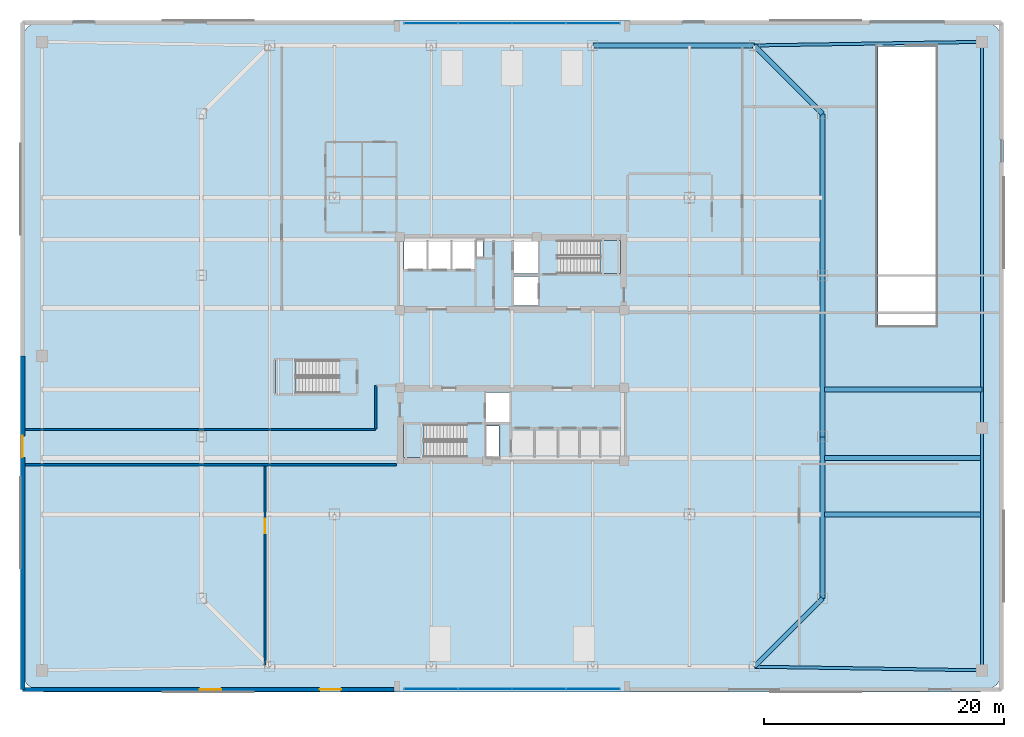
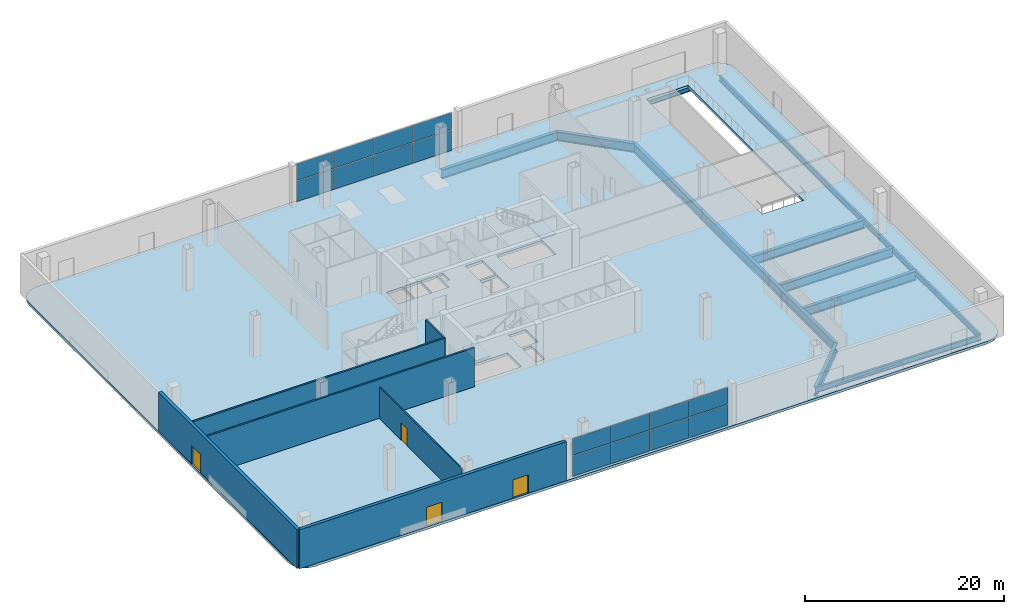
# One storey, part 11 of 21: 16 plates, 13 beams, 6 walls, 4 doors, 4 slabs, 4 openings, 5 elements without a shape of their own.
"""IFC4 building model written with IfcOpenShell, lengths in metres."""

from ifc_helpers import new_model, si_unit, direction, frame, frame_2d, origin, origin_2d, place, context, subcontext, project, spatial, polyline, rectangle, i_section, outline, extrude, material, layer, layer_set, material_profile, profile_set, type_object, element, fill, aggregate, save


model = new_model("IFC4")

# Units and contexts
model_context = context("Model", 3, precision=1e-05, world=origin(), true_north=direction((0.0, 1.0)))
body_context = subcontext(model_context, "Body", "Model", "MODEL_VIEW")
ifc_project = project(units=[si_unit("LENGTHUNIT", "METRE"), si_unit("AREAUNIT", "SQUARE_METRE"), si_unit("VOLUMEUNIT", "CUBIC_METRE"), si_unit("PLANEANGLEUNIT", "RADIAN"), si_unit("MASSUNIT", "GRAM", prefix="KILO")], contexts=[model_context])

# Site, building, storey
site_placement = place(None, origin())
site = spatial("IfcSite", under=ifc_project, at=site_placement, CompositionType="ELEMENT")
building_placement = place(site_placement, origin())
building = spatial("IfcBuilding", under=site, at=building_placement, Name="Qhalaya Broadcast Tower", CompositionType="ELEMENT")
storey_placement = place(building_placement, origin())
storey = spatial("IfcBuildingStorey", under=building, at=storey_placement, Name="L00", CompositionType="ELEMENT", Elevation=0.0)

# Beams
ifc_material_1 = material(Name="Structural Steel ASTM A992 Grade 50", Category="steel")
ifc_material_profile_1 = material_profile(ifc_material_1, i_section(OverallWidth=0.25390625, OverallDepth=0.68310546875, WebThickness=0.012451171875, FlangeThickness=0.01904296875, at=origin_2d()), Name="W27X94")
ifc_profile_set_1 = profile_set([ifc_material_profile_1], Name="Structural Steel ASTM A992 Grade 50")
beam_type_1 = type_object("IfcBeamType", Name="Perimeter Ring Spandrel Beam SP1", PredefinedType="SPANDREL", material=ifc_profile_set_1)
for number, where, z_axis, x_axis, name in (
    (1, (20.199951171875, -25.89990234375, -0.66162109375), (0.999875328998, -0.015790074776, 0.0), (0.015790074776, 0.999875328998, 0.0), "L00 SP1 L00-SP-S2"),
    (2, (20.199951171875, 25.89990234375, -0.66162109375), (0.999875328998, 0.015790074776, 0.0), (-0.015790074776, 0.999875328998, 0.0), "L00 SP1 L00-SP-N2"),
):
    element("IfcBeam", number, at=place(storey_placement, frame(where, z_axis=z_axis, x_axis=x_axis)), inside=storey, type_object=beam_type_1, Name=name, PredefinedType="SPANDREL", context=body_context, shape_type="SweptSolid", body=[
        extrude(i_section(OverallWidth=0.25390625, OverallDepth=0.68310546875, WebThickness=0.012451171875, FlangeThickness=0.01904296875, at=origin_2d()), origin(), (0.0, 0.0, 1.0), 19.00244140625),
    ])
beam_1_placement = place(storey_placement, frame((39.199951171875, -26.199951171875, -0.66162109375), z_axis=(0.0, 1.0, 0.0), x_axis=(-1.0, 0.0, 0.0)))
element("IfcBeam", 3, at=beam_1_placement, inside=storey, type_object=beam_type_1, Name="L00 SP1 L00-SP-E1", PredefinedType="SPANDREL", context=body_context, shape_type="SweptSolid", body=[
    extrude(i_section(OverallWidth=0.25390625, OverallDepth=0.68310546875, WebThickness=0.012451171875, FlangeThickness=0.01904296875, at=origin_2d()), origin(), (0.0, 0.0, 1.0), 20.199951171875),
])
beam_2_placement = place(storey_placement, frame((39.199951171875, -6.0, -0.66162109375), z_axis=(0.0, 1.0, 0.0), x_axis=(-1.0, 0.0, 0.0)))
element("IfcBeam", 4, at=beam_2_placement, inside=storey, type_object=beam_type_1, Name="L00 SP1 L00-SP-E2", PredefinedType="SPANDREL", context=body_context, shape_type="SweptSolid", body=[
    extrude(i_section(OverallWidth=0.25390625, OverallDepth=0.68310546875, WebThickness=0.012451171875, FlangeThickness=0.01904296875, at=origin_2d()), origin(), (0.0, 0.0, 1.0), 32.199951171875),
])
ifc_material_profile_2 = material_profile(ifc_material_1, i_section(OverallWidth=0.404052734375, OverallDepth=1.117919921875, WebThickness=0.026123046875, FlangeThickness=0.044921875, at=origin_2d()), Name="W44X335")
ifc_profile_set_2 = profile_set([ifc_material_profile_2], Name="Structural Steel ASTM A992 Grade 50")
beam_type_2 = type_object("IfcBeamType", Name="Podium Long-Span Primary Girder PG1", PredefinedType="USERDEFINED", material=ifc_profile_set_2)
beam_3_placement = place(storey_placement, frame((20.199951171875, -25.89990234375, -0.87890625), z_axis=(0.707106781187, 0.707106781187, 0.0), x_axis=(-0.707106781187, 0.707106781187, 0.0)))
element("IfcBeam", 5, at=beam_3_placement, inside=storey, type_object=beam_type_2, Name="L00 PG1 L00-PG-R04", ObjectType="GIRDER", PredefinedType="USERDEFINED", context=body_context, shape_type="SweptSolid", body=[
    extrude(i_section(OverallWidth=0.404052734375, OverallDepth=1.117919921875, WebThickness=0.026123046875, FlangeThickness=0.044921875, at=origin_2d()), origin(), (0.0, 0.0, 1.0), 8.06103515625),
])
beam_4_placement = place(storey_placement, frame((25.89990234375, -20.199951171875, -0.87890625), z_axis=(0.0, 1.0, 0.0), x_axis=(-1.0, 0.0, 0.0)))
element("IfcBeam", 6, at=beam_4_placement, inside=storey, type_object=beam_type_2, Name="L00 PG1 L00-PG-R05", ObjectType="GIRDER", PredefinedType="USERDEFINED", context=body_context, shape_type="SweptSolid", body=[
    extrude(i_section(OverallWidth=0.404052734375, OverallDepth=1.117919921875, WebThickness=0.026123046875, FlangeThickness=0.044921875, at=origin_2d()), origin(), (0.0, 0.0, 1.0), 13.466552734375),
])
beam_5_placement = place(storey_placement, frame((25.89990234375, -6.7333984375, -0.87890625), z_axis=(0.0, 1.0, 0.0), x_axis=(-1.0, 0.0, 0.0)))
element("IfcBeam", 7, at=beam_5_placement, inside=storey, type_object=beam_type_2, Name="L00 PG1 L00-PG-R06", ObjectType="GIRDER", PredefinedType="USERDEFINED", context=body_context, shape_type="SweptSolid", body=[
    extrude(i_section(OverallWidth=0.404052734375, OverallDepth=1.117919921875, WebThickness=0.026123046875, FlangeThickness=0.044921875, at=origin_2d()), origin(), (0.0, 0.0, 1.0), 13.466796875),
])
beam_6_placement = place(storey_placement, frame((25.89990234375, 6.7333984375, -0.87890625), z_axis=(0.0, 1.0, 0.0), x_axis=(-1.0, 0.0, 0.0)))
element("IfcBeam", 8, at=beam_6_placement, inside=storey, type_object=beam_type_2, Name="L00 PG1 L00-PG-R07", ObjectType="GIRDER", PredefinedType="USERDEFINED", context=body_context, shape_type="SweptSolid", body=[
    extrude(i_section(OverallWidth=0.404052734375, OverallDepth=1.117919921875, WebThickness=0.026123046875, FlangeThickness=0.044921875, at=origin_2d()), origin(), (0.0, 0.0, 1.0), 13.466552734375),
])
beam_7_placement = place(storey_placement, frame((25.89990234375, 20.199951171875, -0.87890625), z_axis=(-0.707106781187, 0.707106781187, 0.0), x_axis=(-0.707106781187, -0.707106781187, 0.0)))
element("IfcBeam", 9, at=beam_7_placement, inside=storey, type_object=beam_type_2, Name="L00 PG1 L00-PG-R08", ObjectType="GIRDER", PredefinedType="USERDEFINED", context=body_context, shape_type="SweptSolid", body=[
    extrude(i_section(OverallWidth=0.404052734375, OverallDepth=1.117919921875, WebThickness=0.026123046875, FlangeThickness=0.044921875, at=origin_2d()), origin(), (0.0, 0.0, 1.0), 8.06103515625),
])
beam_8_placement = place(storey_placement, frame((20.199951171875, 25.89990234375, -0.87890625), z_axis=(-1.0, 0.0, 0.0), x_axis=(0.0, -1.0, 0.0)))
element("IfcBeam", 10, at=beam_8_placement, inside=storey, type_object=beam_type_2, Name="L00 PG1 L00-PG-R09", ObjectType="GIRDER", PredefinedType="USERDEFINED", context=body_context, shape_type="SweptSolid", body=[
    extrude(i_section(OverallWidth=0.404052734375, OverallDepth=1.117919921875, WebThickness=0.026123046875, FlangeThickness=0.044921875, at=origin_2d()), origin(), (0.0, 0.0, 1.0), 13.466552734375),
])
for number, where, z_axis, x_axis, name in (
    (11, (26.0400390625, -13.199951171875, -0.87890625), (1.0, 0.0, 0.0), (0.0, 1.0, 0.0), "L00 PG1 L00-PG-GS5"),
    (12, (26.0400390625, -8.5, -0.87890625), (1.0, 0.0, 0.0), (0.0, 1.0, 0.0), "L00 PG1 L00-PG-E1B"),
    (13, (26.0400390625, -2.800048828125, -0.87890625), (1.0, 0.0, 0.0), (0.0, 1.0, 0.0), "L00 PG1 L00-PG-E2B"),
):
    element("IfcBeam", number, at=place(storey_placement, frame(where, z_axis=z_axis, x_axis=x_axis)), inside=storey, type_object=beam_type_2, Name=name, ObjectType="GIRDER", PredefinedType="USERDEFINED", context=body_context, shape_type="SweptSolid", body=[
        extrude(i_section(OverallWidth=0.404052734375, OverallDepth=1.117919921875, WebThickness=0.026123046875, FlangeThickness=0.044921875, at=origin_2d()), origin(), (0.0, 0.0, 1.0), 13.159912109375),
    ])

# Slab
ifc_material_2 = material(Name="Concrete C40/50", Category="concrete")
ifc_layer_1 = layer(ifc_material_2, 0.320068359375, Name="Concrete C40/50")
ifc_layer_set_1 = layer_set([ifc_layer_1], Name="Concrete C40/50")
slab_type_1 = type_object("IfcSlabType", Name="Podium Soundstage Box-in-Box Floor Slab 320", PredefinedType="FLOOR", material=ifc_layer_set_1)
slab_1_placement = place(storey_placement, frame((0.0, 0.0, -0.320068359375)))
element("IfcSlab", 14, at=slab_1_placement, inside=storey, type_object=slab_type_1, Name="L00 Main Structural Floor Slab", PredefinedType="FLOOR", context=body_context, shape_type="SweptSolid", body=[
    extrude(outline(polyline([(39.0, -28.0), (39.765380859375, -27.847900390625), (40.414306640625, -27.414306640625), (40.847900390625, -26.765380859375), (41.0, -26.0), (41.0, 26.0), (40.847900390625, 26.765380859375), (40.414306640625, 27.414306640625), (39.765380859375, 27.847900390625), (39.0, 28.0), (-39.0, 28.0), (-39.765380859375, 27.847900390625), (-40.414306640625, 27.414306640625), (-40.847900390625, 26.765380859375), (-41.0, 26.0), (-41.0, -26.0), (-40.847900390625, -26.765380859375), (-40.414306640625, -27.414306640625), (-39.765380859375, -27.847900390625), (-39.0, -28.0), (39.0, -28.0)]), holes=[polyline([(3.784912109375, 9.639892578125), (9.050048828125, 9.639892578125), (9.050048828125, 6.8798828125), (3.784912109375, 6.8798828125), (3.784912109375, 9.639892578125)]), polyline([(-3.784912109375, -8.43994140625), (-9.050048828125, -8.43994140625), (-9.050048828125, -5.679931640625), (-3.784912109375, -5.679931640625), (-3.784912109375, -8.43994140625)]), polyline([(-14.43505859375, -3.10009765625), (-19.699951171875, -3.10009765625), (-19.699951171875, -0.340087890625), (-14.43505859375, -0.340087890625), (-14.43505859375, -3.10009765625)]), polyline([(0.14990234375, 6.64990234375), (2.14990234375, 6.64990234375), (2.14990234375, 4.199951171875), (0.14990234375, 4.199951171875), (0.14990234375, 6.64990234375)]), polyline([(0.14990234375, 9.60009765625), (2.14990234375, 9.60009765625), (2.14990234375, 6.89990234375), (0.14990234375, 6.89990234375), (0.14990234375, 9.60009765625)]), polyline([(-2.14990234375, -3.050048828125), (-0.14990234375, -3.050048828125), (-0.14990234375, -5.5), (-2.14990234375, -5.5), (-2.14990234375, -3.050048828125)]), polyline([(-9.0, 9.60009765625), (-7.1201171875, 9.60009765625), (-7.1201171875, 7.25), (-9.0, 7.25), (-9.0, 9.60009765625)]), polyline([(-7.0, 9.60009765625), (-5.1201171875, 9.60009765625), (-5.1201171875, 7.25), (-7.0, 7.25), (-7.0, 9.60009765625)]), polyline([(-5.0, 9.60009765625), (-3.1201171875, 9.60009765625), (-3.1201171875, 7.25), (-5.0, 7.25), (-5.0, 9.60009765625)]), polyline([(-2.919921875, 9.659912109375), (-2.419921875, 9.659912109375), (-2.419921875, 8.320068359375), (-2.919921875, 8.320068359375), (-2.919921875, 9.659912109375)]), polyline([(-2.1201171875, -5.820068359375), (-1.080078125, -5.820068359375), (-1.080078125, -8.4599609375), (-2.1201171875, -8.4599609375), (-2.1201171875, -5.820068359375)]), polyline([(30.5, 25.820068359375), (35.300048828125, 25.820068359375), (35.300048828125, 2.60009765625), (30.5, 2.60009765625), (30.5, 25.820068359375)])]), origin(), (0.0, 0.0, 1.0), 0.320068359375),
])

# Curtain wall, plates
ifc_material_3 = material(Name="Solar-Control Low-E Triple Glazing", Category="glass")
ifc_layer_2 = layer(ifc_material_3, 0.219970703125, Name="Solar-Control Low-E Triple Glazing")
ifc_layer_set_2 = layer_set([ifc_layer_2], Name="Solar-Control Low-E Triple Glazing")
curtain_wall_type = type_object("IfcCurtainWallType", Name="Podium Concourse Triple-Height Glazed Portal CW-01", PredefinedType="NOTDEFINED", material=ifc_layer_set_2)
curtain_wall_1_placement = place(storey_placement, origin())
curtain_wall_1 = element("IfcCurtainWall", 15, at=curtain_wall_1_placement, inside=storey, type_object=curtain_wall_type, Name="L00 Unitised Curtain Wall L00-CW01-S", PredefinedType="NOTDEFINED")
ifc_layer_3 = layer(ifc_material_3, 0.0380859375, Name="Solar-Control Low-E Triple Glazing")
ifc_layer_set_3 = layer_set([ifc_layer_3], Name="Solar-Control Low-E Triple Glazing")
plate_type = type_object("IfcPlateType", Name="Solar-Control Curtain Glazing Panel GLP-01", PredefinedType="CURTAIN_PANEL", material=ifc_layer_set_3)
plate_1_placement = place(storey_placement, frame((-6.768798828125, -27.75, 0.074951171875), z_axis=(0.0, 0.0, 1.0), x_axis=(1.0, 0.0, 0.0)))
plate_1 = element("IfcPlate", 16, at=plate_1_placement, type_object=plate_type, Name="CW-01 panel 1.1", PredefinedType="CURTAIN_PANEL", context=body_context, shape_type="SweptSolid", body=[
    extrude(rectangle(XDim=4.41259765625, YDim=0.0380859375, at=origin_2d()), origin(), (0.0, 0.0, 1.0), 2.5166015625),
])
plate_2_placement = place(storey_placement, frame((-6.768798828125, -27.75, 2.66650390625), z_axis=(0.0, 0.0, 1.0), x_axis=(1.0, 0.0, 0.0)))
plate_2 = element("IfcPlate", 17, at=plate_2_placement, type_object=plate_type, Name="CW-01 panel 1.2", PredefinedType="CURTAIN_PANEL", context=body_context, shape_type="SweptSolid", body=[
    extrude(rectangle(XDim=4.41259765625, YDim=0.0380859375, at=origin_2d()), origin(), (0.0, 0.0, 1.0), 2.03857421875),
])
plate_3_placement = place(storey_placement, frame((-2.262451171875, -27.75, 0.074951171875), z_axis=(0.0, 0.0, 1.0), x_axis=(1.0, 0.0, 0.0)))
plate_3 = element("IfcPlate", 18, at=plate_3_placement, type_object=plate_type, Name="CW-01 panel 2.1", PredefinedType="CURTAIN_PANEL", context=body_context, shape_type="SweptSolid", body=[
    extrude(rectangle(XDim=4.449951171875, YDim=0.0380859375, at=origin_2d()), origin(), (0.0, 0.0, 1.0), 2.5166015625),
])
plate_4_placement = place(storey_placement, frame((-2.262451171875, -27.75, 2.66650390625), z_axis=(0.0, 0.0, 1.0), x_axis=(1.0, 0.0, 0.0)))
plate_4 = element("IfcPlate", 19, at=plate_4_placement, type_object=plate_type, Name="CW-01 panel 2.2", PredefinedType="CURTAIN_PANEL", context=body_context, shape_type="SweptSolid", body=[
    extrude(rectangle(XDim=4.449951171875, YDim=0.0380859375, at=origin_2d()), origin(), (0.0, 0.0, 1.0), 2.03857421875),
])
plate_5_placement = place(storey_placement, frame((2.262451171875, -27.75, 0.074951171875), z_axis=(0.0, 0.0, 1.0), x_axis=(1.0, 0.0, 0.0)))
plate_5 = element("IfcPlate", 20, at=plate_5_placement, type_object=plate_type, Name="CW-01 panel 3.1", PredefinedType="CURTAIN_PANEL", context=body_context, shape_type="SweptSolid", body=[
    extrude(rectangle(XDim=4.449951171875, YDim=0.0380859375, at=origin_2d()), origin(), (0.0, 0.0, 1.0), 2.5166015625),
])
plate_6_placement = place(storey_placement, frame((2.262451171875, -27.75, 2.66650390625), z_axis=(0.0, 0.0, 1.0), x_axis=(1.0, 0.0, 0.0)))
plate_6 = element("IfcPlate", 21, at=plate_6_placement, type_object=plate_type, Name="CW-01 panel 3.2", PredefinedType="CURTAIN_PANEL", context=body_context, shape_type="SweptSolid", body=[
    extrude(rectangle(XDim=4.449951171875, YDim=0.0380859375, at=origin_2d()), origin(), (0.0, 0.0, 1.0), 2.03857421875),
])
plate_7_placement = place(storey_placement, frame((6.768798828125, -27.75, 0.074951171875), z_axis=(0.0, 0.0, 1.0), x_axis=(1.0, 0.0, 0.0)))
plate_7 = element("IfcPlate", 22, at=plate_7_placement, type_object=plate_type, Name="CW-01 panel 4.1", PredefinedType="CURTAIN_PANEL", context=body_context, shape_type="SweptSolid", body=[
    extrude(rectangle(XDim=4.41259765625, YDim=0.0380859375, at=origin_2d()), origin(), (0.0, 0.0, 1.0), 2.5166015625),
])
plate_8_placement = place(storey_placement, frame((6.768798828125, -27.75, 2.66650390625), z_axis=(0.0, 0.0, 1.0), x_axis=(1.0, 0.0, 0.0)))
plate_8 = element("IfcPlate", 23, at=plate_8_placement, type_object=plate_type, Name="CW-01 panel 4.2", PredefinedType="CURTAIN_PANEL", context=body_context, shape_type="SweptSolid", body=[
    extrude(rectangle(XDim=4.41259765625, YDim=0.0380859375, at=origin_2d()), origin(), (0.0, 0.0, 1.0), 2.03857421875),
])
aggregate(curtain_wall_1, [plate_1, plate_2, plate_3, plate_4, plate_5, plate_6, plate_7, plate_8])

curtain_wall_2_placement = place(storey_placement, origin())
curtain_wall_2 = element("IfcCurtainWall", 24, at=curtain_wall_2_placement, inside=storey, type_object=curtain_wall_type, Name="L00 Unitised Curtain Wall L00-CW01-N", PredefinedType="NOTDEFINED")
plate_9_placement = place(storey_placement, frame((6.768798828125, 27.75, 0.074951171875), z_axis=(0.0, 0.0, 1.0), x_axis=(-1.0, 0.0, 0.0)))
plate_9 = element("IfcPlate", 25, at=plate_9_placement, type_object=plate_type, Name="CW-01 panel 1.1", PredefinedType="CURTAIN_PANEL", context=body_context, shape_type="SweptSolid", body=[
    extrude(rectangle(XDim=4.41259765625, YDim=0.0380859375, at=origin_2d()), origin(), (0.0, 0.0, 1.0), 2.5166015625),
])
plate_10_placement = place(storey_placement, frame((6.768798828125, 27.75, 2.66650390625), z_axis=(0.0, 0.0, 1.0), x_axis=(-1.0, 0.0, 0.0)))
plate_10 = element("IfcPlate", 26, at=plate_10_placement, type_object=plate_type, Name="CW-01 panel 1.2", PredefinedType="CURTAIN_PANEL", context=body_context, shape_type="SweptSolid", body=[
    extrude(rectangle(XDim=4.41259765625, YDim=0.0380859375, at=origin_2d()), origin(), (0.0, 0.0, 1.0), 2.03857421875),
])
plate_11_placement = place(storey_placement, frame((2.262451171875, 27.75, 0.074951171875), z_axis=(0.0, 0.0, 1.0), x_axis=(-1.0, 0.0, 0.0)))
plate_11 = element("IfcPlate", 27, at=plate_11_placement, type_object=plate_type, Name="CW-01 panel 2.1", PredefinedType="CURTAIN_PANEL", context=body_context, shape_type="SweptSolid", body=[
    extrude(rectangle(XDim=4.449951171875, YDim=0.0380859375, at=origin_2d()), origin(), (0.0, 0.0, 1.0), 2.5166015625),
])
plate_12_placement = place(storey_placement, frame((2.262451171875, 27.75, 2.66650390625), z_axis=(0.0, 0.0, 1.0), x_axis=(-1.0, 0.0, 0.0)))
plate_12 = element("IfcPlate", 28, at=plate_12_placement, type_object=plate_type, Name="CW-01 panel 2.2", PredefinedType="CURTAIN_PANEL", context=body_context, shape_type="SweptSolid", body=[
    extrude(rectangle(XDim=4.449951171875, YDim=0.0380859375, at=origin_2d()), origin(), (0.0, 0.0, 1.0), 2.03857421875),
])
plate_13_placement = place(storey_placement, frame((-2.262451171875, 27.75, 0.074951171875), z_axis=(0.0, 0.0, 1.0), x_axis=(-1.0, 0.0, 0.0)))
plate_13 = element("IfcPlate", 29, at=plate_13_placement, type_object=plate_type, Name="CW-01 panel 3.1", PredefinedType="CURTAIN_PANEL", context=body_context, shape_type="SweptSolid", body=[
    extrude(rectangle(XDim=4.449951171875, YDim=0.0380859375, at=origin_2d()), origin(), (0.0, 0.0, 1.0), 2.5166015625),
])
plate_14_placement = place(storey_placement, frame((-2.262451171875, 27.75, 2.66650390625), z_axis=(0.0, 0.0, 1.0), x_axis=(-1.0, 0.0, 0.0)))
plate_14 = element("IfcPlate", 30, at=plate_14_placement, type_object=plate_type, Name="CW-01 panel 3.2", PredefinedType="CURTAIN_PANEL", context=body_context, shape_type="SweptSolid", body=[
    extrude(rectangle(XDim=4.449951171875, YDim=0.0380859375, at=origin_2d()), origin(), (0.0, 0.0, 1.0), 2.03857421875),
])
plate_15_placement = place(storey_placement, frame((-6.768798828125, 27.75, 0.074951171875), z_axis=(0.0, 0.0, 1.0), x_axis=(-1.0, 0.0, 0.0)))
plate_15 = element("IfcPlate", 31, at=plate_15_placement, type_object=plate_type, Name="CW-01 panel 4.1", PredefinedType="CURTAIN_PANEL", context=body_context, shape_type="SweptSolid", body=[
    extrude(rectangle(XDim=4.41259765625, YDim=0.0380859375, at=origin_2d()), origin(), (0.0, 0.0, 1.0), 2.5166015625),
])
plate_16_placement = place(storey_placement, frame((-6.768798828125, 27.75, 2.66650390625), z_axis=(0.0, 0.0, 1.0), x_axis=(-1.0, 0.0, 0.0)))
plate_16 = element("IfcPlate", 32, at=plate_16_placement, type_object=plate_type, Name="CW-01 panel 4.2", PredefinedType="CURTAIN_PANEL", context=body_context, shape_type="SweptSolid", body=[
    extrude(rectangle(XDim=4.41259765625, YDim=0.0380859375, at=origin_2d()), origin(), (0.0, 0.0, 1.0), 2.03857421875),
])
aggregate(curtain_wall_2, [plate_9, plate_10, plate_11, plate_12, plate_13, plate_14, plate_15, plate_16])

# Stair, slab
stair_type = type_object("IfcStairType", Name="Protected Dogleg Core Stair 5100", PredefinedType="TWO_STRAIGHT_RUN_STAIR", material=ifc_material_2)
stair_1_placement = place(storey_placement, origin())
stair_1 = element("IfcStair", 33, at=stair_1_placement, inside=storey, type_object=stair_type, Name="L00 North Core Exit Stair ST-1", PredefinedType="TWO_STRAIGHT_RUN_STAIR")
ifc_layer_4 = layer(ifc_material_2, 0.199951171875, Name="Concrete C40/50")
ifc_layer_set_4 = layer_set([ifc_layer_4], Name="Concrete C40/50")
slab_type_2 = type_object("IfcSlabType", Name="Stair & Ramp Half-Landing Slab 200", PredefinedType="LANDING", material=ifc_layer_set_4)
slab_2_placement = place(storey_placement, frame((0.0, 0.0, 2.35009765625)))
slab_2 = element("IfcSlab", 34, at=slab_2_placement, type_object=slab_type_2, Name="ST-1 landing 1", PredefinedType="LANDING", context=body_context, shape_type="SweptSolid", body=[
    extrude(outline(polyline([(7.35498046875, 6.8798828125), (9.050048828125, 6.8798828125), (9.050048828125, 9.639892578125), (7.35498046875, 9.639892578125), (7.35498046875, 6.8798828125)])), origin(), (0.0, 0.0, 1.0), 0.199951171875),
])
aggregate(stair_1, [slab_2])

stair_2_placement = place(storey_placement, origin())
stair_2 = element("IfcStair", 35, at=stair_2_placement, inside=storey, type_object=stair_type, Name="L00 South Core Exit Stair ST-2", PredefinedType="TWO_STRAIGHT_RUN_STAIR")
slab_3_placement = place(storey_placement, frame((0.0, 0.0, 2.35009765625)))
slab_3 = element("IfcSlab", 36, at=slab_3_placement, type_object=slab_type_2, Name="ST-2 landing 1", PredefinedType="LANDING", context=body_context, shape_type="SweptSolid", body=[
    extrude(outline(polyline([(-7.35498046875, -5.679931640625), (-9.050048828125, -5.679931640625), (-9.050048828125, -8.43994140625), (-7.35498046875, -8.43994140625), (-7.35498046875, -5.679931640625)])), origin(), (0.0, 0.0, 1.0), 0.199951171875),
])
aggregate(stair_2, [slab_3])

stair_3_placement = place(storey_placement, origin())
stair_3 = element("IfcStair", 37, at=stair_3_placement, inside=storey, type_object=stair_type, Name="L00 Podium West Escape Stair ST-P1", PredefinedType="TWO_STRAIGHT_RUN_STAIR")
slab_4_placement = place(storey_placement, frame((0.0, 0.0, 2.35009765625)))
slab_4 = element("IfcSlab", 38, at=slab_4_placement, type_object=slab_type_2, Name="ST-P1 landing 1", PredefinedType="LANDING", context=body_context, shape_type="SweptSolid", body=[
    extrude(outline(polyline([(-18.0048828125, -0.340087890625), (-19.699951171875, -0.340087890625), (-19.699951171875, -3.10009765625), (-18.0048828125, -3.10009765625), (-18.0048828125, -0.340087890625)])), origin(), (0.0, 0.0, 1.0), 0.199951171875),
])
aggregate(stair_3, [slab_4])

# Wall, opening, door
ifc_material_4 = material(Name="Gypsum Acoustic Partition")
ifc_layer_5 = layer(ifc_material_4, 0.14990234375, Name="Gypsum Acoustic Partition")
ifc_layer_set_5 = layer_set([ifc_layer_5], Name="Gypsum Acoustic Partition")
wall_type_1 = type_object("IfcWallType", Name="Corridor & Tenancy Acoustic Partition 150", PredefinedType="PARTITIONING", material=ifc_layer_set_5)
wall_1_placement = place(storey_placement, frame((-20.60009765625, -25.739990234375, 0.0), z_axis=(0.0, 0.0, 1.0), x_axis=(0.0, 1.0, 0.0)))
wall_1 = element("IfcWall", 39, at=wall_1_placement, inside=storey, type_object=wall_type_1, Name="L00 Partition Wall W-LBW", PredefinedType="PARTITIONING", context=body_context, shape_type="SweptSolid", body=[
    extrude(rectangle(XDim=16.530029296875, YDim=0.14990234375, at=frame_2d((8.26513671875, 0.0))), origin(), (0.0, 0.0, 1.0), 3.8330078125),
])
opening_1_placement = place(wall_1_placement, frame((10.970947265625, 0.0, 0.0)))
opening_1 = element("IfcOpeningElement", 40, at=opening_1_placement, cuts=wall_1, Name="Opening D11", PredefinedType="OPENING", context=body_context, shape_type="SweptSolid", body=[
    extrude(rectangle(XDim=1.199951171875, YDim=2.10009765625, at=frame_2d((0.60009765625, 1.050048828125))), frame((0.0, 0.0869140625, 0.0), z_axis=(0.0, -1.0, 0.0), x_axis=(1.0, 0.0, 0.0)), (0.0, 0.0, 1.0), 0.173828125),
])
ifc_material_5 = material(Name="Anodised Aluminium Glazed Door", Category="aluminium")
door_type_1 = type_object("IfcDoorType", Name="Conference, Boardroom & Studio Control Door D11", OperationType="NOTDEFINED", PredefinedType="DOOR", material=ifc_material_5)
door_1_placement = place(opening_1_placement, origin())
door_1 = element("IfcDoor", 41, at=door_1_placement, inside=storey, type_object=door_type_1, Name="L00 Door D-LBW", OperationType="SINGLE_SWING_RIGHT", OverallHeight=2.10009765625, OverallWidth=1.199951171875, PredefinedType="DOOR", context=body_context, shape_type="SweptSolid", body=[
    extrude(rectangle(XDim=1.199951171875, YDim=2.10009765625, at=frame_2d((0.60009765625, 1.050048828125))), frame((0.0, 0.02490234375, 0.0), z_axis=(0.0, -1.0, 0.0), x_axis=(1.0, 0.0, 0.0)), (0.0, 0.0, 1.0), 0.050048828125),
])
fill(opening_1, door_1)

# Walls
ifc_layer_6 = layer(ifc_material_4, 0.199951171875, Name="Gypsum Acoustic Partition")
ifc_layer_set_6 = layer_set([ifc_layer_6], Name="Gypsum Acoustic Partition")
wall_type_2 = type_object("IfcWallType", Name="Firefighting Lobby & Stair Enclosure Wall 200", PredefinedType="PARTITIONING", material=ifc_layer_set_6)
wall_2_placement = place(storey_placement, frame((-40.56005859375, -9.050048828125, 0.0), z_axis=(0.0, 0.0, 1.0), x_axis=(1.0, 0.0, 0.0)))
element("IfcWall", 42, at=wall_2_placement, inside=storey, type_object=wall_type_2, Name="L00 Partition Wall W-EP2S", PredefinedType="PARTITIONING", context=body_context, shape_type="SweptSolid", body=[
    extrude(rectangle(XDim=30.920166015625, YDim=0.199951171875, at=frame_2d((15.4599609375, 0.0))), origin(), (0.0, 0.0, 1.0), 4.780029296875),
])
wall_3_placement = place(storey_placement, frame((-11.35009765625, -2.469970703125, 0.0), z_axis=(0.0, 0.0, 1.0), x_axis=(0.0, -1.0, 0.0)))
element("IfcWall", 43, at=wall_3_placement, inside=storey, type_object=wall_type_2, Name="L00 Partition Wall W-EP2W1", PredefinedType="PARTITIONING", context=body_context, shape_type="SweptSolid", body=[
    extrude(rectangle(XDim=3.630126953125, YDim=0.199951171875, at=frame_2d((1.81494140625, 0.0))), origin(), (0.0, 0.0, 1.0), 4.780029296875),
])
wall_4_placement = place(storey_placement, frame((-11.3701171875, -6.1201171875, 0.0), z_axis=(0.0, 0.0, 1.0), x_axis=(-1.0, 0.0, 0.0)))
element("IfcWall", 44, at=wall_4_placement, inside=storey, type_object=wall_type_2, Name="L00 Partition Wall W-EP2N2", PredefinedType="PARTITIONING", context=body_context, shape_type="SweptSolid", body=[
    extrude(rectangle(XDim=29.18994140625, YDim=0.199951171875, at=frame_2d((14.594970703125, 0.0))), origin(), (0.0, 0.0, 1.0), 4.780029296875),
])

# Wall, openings, doors
ifc_material_6 = material(Name="Precast Concrete C40/50", Category="concrete")
ifc_layer_7 = layer(ifc_material_6, 0.360107421875, Name="Precast Concrete C40/50")
ifc_layer_set_7 = layer_set([ifc_layer_7], Name="Precast Concrete C40/50")
wall_type_3 = type_object("IfcWallType", Name="Insulated Precast Terracotta Exterior Wall 360", PredefinedType="SOLIDWALL", material=ifc_layer_set_7)
wall_5_placement = place(storey_placement, frame((-9.840087890625, -27.800048828125, 0.0), z_axis=(0.0, 0.0, 1.0), x_axis=(-1.0, 0.0, 0.0)))
wall_5 = element("IfcWall", 45, at=wall_5_placement, inside=storey, type_object=wall_type_3, Name="L00 Podium Exterior Terracotta Wall EW-SW", PredefinedType="SOLIDWALL", context=body_context, shape_type="SweptSolid", body=[
    extrude(rectangle(XDim=30.9599609375, YDim=0.360107421875, at=frame_2d((15.47998046875, 0.0))), origin(), (0.0, 0.0, 1.0), 4.780029296875),
])
opening_2_placement = place(wall_5_placement, frame((4.409912109375, 0.0, 0.0)))
opening_2 = element("IfcOpeningElement", 46, at=opening_2_placement, cuts=wall_5, Name="Opening D02", PredefinedType="OPENING", context=body_context, shape_type="SweptSolid", body=[
    extrude(rectangle(XDim=1.800048828125, YDim=2.25, at=frame_2d((0.89990234375, 1.125))), frame((0.0, 0.192138671875, 0.0), z_axis=(0.0, -1.0, 0.0), x_axis=(1.0, 0.0, 0.0)), (0.0, 0.0, 1.0), 0.384033203125),
])
opening_3_placement = place(wall_5_placement, frame((14.409912109375, 0.0, 0.0)))
opening_3 = element("IfcOpeningElement", 47, at=opening_3_placement, cuts=wall_5, Name="Opening D01", PredefinedType="OPENING", context=body_context, shape_type="SweptSolid", body=[
    extrude(rectangle(XDim=1.800048828125, YDim=2.39990234375, at=frame_2d((0.89990234375, 1.199951171875))), frame((0.0, 0.192138671875, 0.0), z_axis=(0.0, -1.0, 0.0), x_axis=(1.0, 0.0, 0.0)), (0.0, 0.0, 1.0), 0.384033203125),
])
door_type_2 = type_object("IfcDoorType", Name="Concourse Revolving & Double Entrance Door D01", OperationType="DOUBLE_DOOR_SINGLE_SWING", PredefinedType="DOOR", material=ifc_material_5)
door_2_placement = place(opening_3_placement, origin())
door_2 = element("IfcDoor", 48, at=door_2_placement, inside=storey, type_object=door_type_2, Name="Ground Pedestrian Exit Door ED-02", OperationType="DOUBLE_DOOR_SINGLE_SWING", OverallHeight=2.39990234375, OverallWidth=1.800048828125, PredefinedType="DOOR", context=body_context, shape_type="SweptSolid", body=[
    extrude(rectangle(XDim=1.800048828125, YDim=2.39990234375, at=frame_2d((0.89990234375, 1.199951171875))), frame((0.0, 0.02490234375, 0.0), z_axis=(0.0, -1.0, 0.0), x_axis=(1.0, 0.0, 0.0)), (0.0, 0.0, 1.0), 0.050048828125),
])
fill(opening_3, door_2)
ifc_material_7 = material(Name="Fire-Rated Steel Door", Category="steel")
door_type_3 = type_object("IfcDoorType", Name="Ground Final Exit Double Fire Door D02", OperationType="DOUBLE_DOOR_SINGLE_SWING", PredefinedType="DOOR", material=ifc_material_7)
door_3_placement = place(opening_2_placement, origin())
door_3 = element("IfcDoor", 49, at=door_3_placement, inside=storey, type_object=door_type_3, Name="Ground Pedestrian Exit Door ED-01", OperationType="DOUBLE_DOOR_SINGLE_SWING", OverallHeight=2.25, OverallWidth=1.800048828125, PredefinedType="DOOR", context=body_context, shape_type="SweptSolid", body=[
    extrude(rectangle(XDim=1.800048828125, YDim=2.25, at=frame_2d((0.89990234375, 1.125))), frame((0.0, 0.02490234375, 0.0), z_axis=(0.0, -1.0, 0.0), x_axis=(1.0, 0.0, 0.0)), (0.0, 0.0, 1.0), 0.050048828125),
])
fill(opening_2, door_3)

# Wall, opening, door
wall_6_placement = place(storey_placement, frame((-40.800048828125, -27.800048828125, 0.0), z_axis=(0.0, 0.0, 1.0), x_axis=(0.0, 1.0, 0.0)))
wall_6 = element("IfcWall", 50, at=wall_6_placement, inside=storey, type_object=wall_type_3, Name="L00 Podium Exterior Terracotta Wall EW-WS", PredefinedType="SOLIDWALL", context=body_context, shape_type="SweptSolid", body=[
    extrude(rectangle(XDim=27.800048828125, YDim=0.360107421875, at=frame_2d((13.89990234375, 0.0))), origin(), (0.0, 0.0, 1.0), 4.780029296875),
])
opening_4_placement = place(wall_6_placement, frame((19.35009765625, 0.0, 0.0)))
opening_4 = element("IfcOpeningElement", 51, at=opening_4_placement, cuts=wall_6, Name="Opening D02", PredefinedType="OPENING", context=body_context, shape_type="SweptSolid", body=[
    extrude(rectangle(XDim=1.800048828125, YDim=2.25, at=frame_2d((0.89990234375, 1.125))), frame((0.0, 0.192138671875, 0.0), z_axis=(0.0, -1.0, 0.0), x_axis=(1.0, 0.0, 0.0)), (0.0, 0.0, 1.0), 0.384033203125),
])
door_4_placement = place(opening_4_placement, origin())
door_4 = element("IfcDoor", 52, at=door_4_placement, inside=storey, type_object=door_type_3, Name="South Protected Exit Passage Final Exterior Door ED-EP2", OperationType="DOUBLE_DOOR_SINGLE_SWING", OverallHeight=2.25, OverallWidth=1.800048828125, PredefinedType="DOOR", context=body_context, shape_type="SweptSolid", body=[
    extrude(rectangle(XDim=1.800048828125, YDim=2.25, at=frame_2d((0.89990234375, 1.125))), frame((0.0, 0.02490234375, 0.0), z_axis=(0.0, -1.0, 0.0), x_axis=(1.0, 0.0, 0.0)), (0.0, 0.0, 1.0), 0.050048828125),
])
fill(opening_4, door_4)

save(model, "model.ifc")
